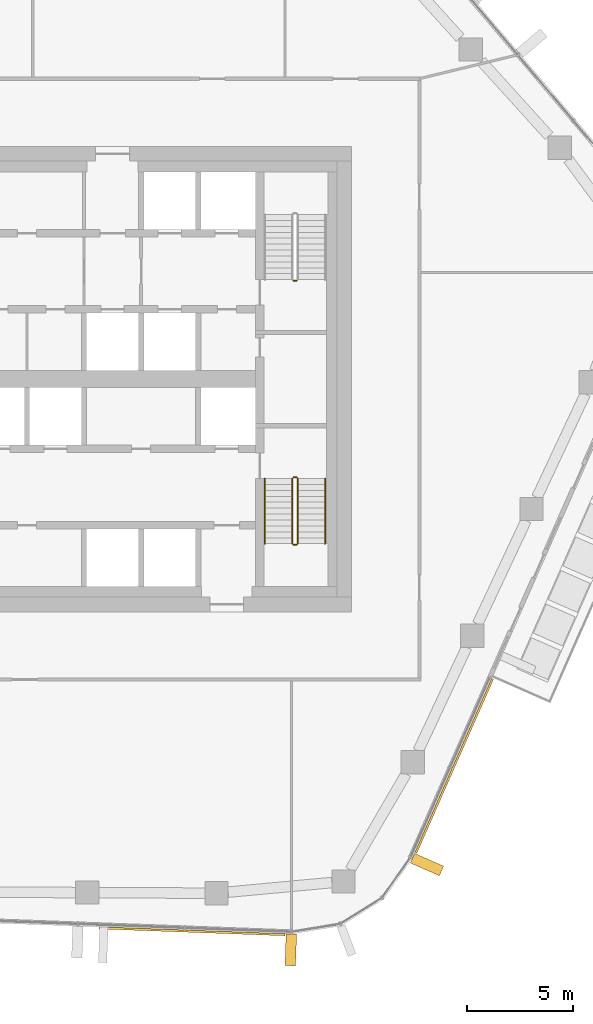
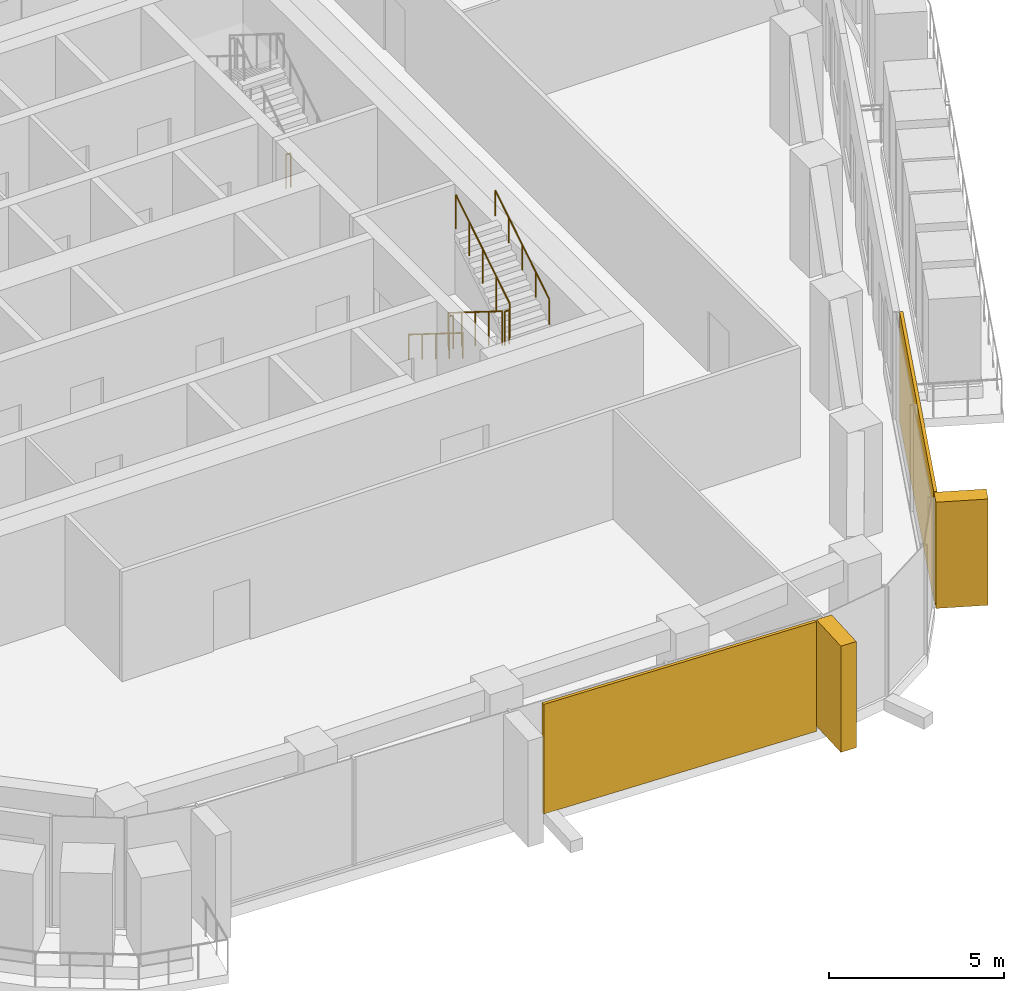
# One storey, part 17 of 21: 7 railings, 4 coverings, 2 elements without a shape of their own.
"""IFC4 building model written with IfcOpenShell, lengths in metres."""

from ifc_helpers import new_model, si_unit, direction, frame, origin, origin_2d, place, context, subcontext, project, spatial, rectangle, circle, extrude, material, layer, layer_set, material_profile, profile_set, type_object, element, aggregate, save


model = new_model("IFC4")

# Units and contexts
model_context = context("Model", 3, precision=1e-05, world=origin(), true_north=direction((0.0, 1.0)))
body_context = subcontext(model_context, "Body", "Model", "MODEL_VIEW")
ifc_project = project(units=[si_unit("LENGTHUNIT", "METRE"), si_unit("AREAUNIT", "SQUARE_METRE"), si_unit("VOLUMEUNIT", "CUBIC_METRE"), si_unit("PLANEANGLEUNIT", "RADIAN"), si_unit("MASSUNIT", "GRAM", prefix="KILO")], contexts=[model_context])

# Site, building, storey
site_placement = place(None, origin())
site = spatial("IfcSite", under=ifc_project, at=site_placement, CompositionType="ELEMENT")
building_placement = place(site_placement, origin())
building = spatial("IfcBuilding", under=site, at=building_placement, Name="Dongbaek Canopy Tower", CompositionType="ELEMENT")
storey_placement = place(building_placement, frame((0.0, 0.0, 270.60009765625)))
storey = spatial("IfcBuildingStorey", under=building, at=storey_placement, Name="L57", CompositionType="ELEMENT", Elevation=270.60009765625)

# Curtain wall, covering
ifc_material_1 = material(Name="Aluminium 6063-T6 pale anodised", Category="aluminium")
ifc_layer_1 = layer(ifc_material_1, 0.199951171875)
ifc_layer_set_1 = layer_set([ifc_layer_1], Name="CW-1 unitised tower curtain wall")
curtain_wall_type = type_object("IfcCurtainWallType", Name="CW-1 unitised tower curtain wall", PredefinedType="NOTDEFINED", material=ifc_layer_set_1)
curtain_wall_1_placement = place(storey_placement, origin())
curtain_wall_1 = element("IfcCurtainWall", 1, at=curtain_wall_1_placement, inside=storey, type_object=curtain_wall_type, Name="CW-1 curtain wall F4.1", PredefinedType="NOTDEFINED")
ifc_material_2 = material(Name="Perforated aluminium 6063-T6 pale metal screen", Category="aluminium")
ifc_layer_2 = layer(ifc_material_2, 0.10009765625)
ifc_layer_set_2 = layer_set([ifc_layer_2], Name="Facet screen FS1 100 pale metal")
covering_type_1 = type_object("IfcCoveringType", Name="Facet screen FS1 100 pale metal", PredefinedType="CLADDING", material=ifc_layer_set_2)
covering_1_placement = place(storey_placement, frame((6.458251953125, -26.102783203125, 0.0), z_axis=(0.0, 0.0, 1.0), x_axis=(0.999319925154, -0.036873936466, 0.0)))
covering_1 = element("IfcCovering", 2, at=covering_1_placement, type_object=covering_type_1, Name="Facet screen L57 F4", PredefinedType="CLADDING", context=body_context, shape_type="SweptSolid", body=[
    extrude(rectangle(XDim=8.80908203125, YDim=0.10009765625, at=origin_2d()), origin(), (0.0, 0.0, 1.0), 3.820068359375),
])

curtain_wall_2_placement = place(storey_placement, origin())
curtain_wall_2 = element("IfcCurtainWall", 3, at=curtain_wall_2_placement, inside=storey, type_object=curtain_wall_type, Name="CW-1 curtain wall F5.1", PredefinedType="NOTDEFINED")
covering_2_placement = place(storey_placement, frame((18.85009765625, -18.281982421875, 0.0), z_axis=(0.0, 0.0, 1.0), x_axis=(0.403288178578, 0.915073027151, 0.0)))
covering_2 = element("IfcCovering", 4, at=covering_2_placement, type_object=covering_type_1, Name="Facet screen L57 F5", PredefinedType="CLADDING", context=body_context, shape_type="SweptSolid", body=[
    extrude(rectangle(XDim=8.99609375, YDim=0.10009765625, at=origin_2d()), origin(), (0.0, 0.0, 1.0), 3.820068359375),
])

# Covering
ifc_material_3 = material(Name="Aluminium 6063-T6 pale metal fin", Category="aluminium")
ifc_material_profile = material_profile(ifc_material_3, rectangle(XDim=1.5, YDim=0.5, at=origin_2d()), Name="Fin FN1 500 x 1500 pale metal")
ifc_profile_set = profile_set([ifc_material_profile], Name="Aluminium 6063-T6 pale metal fin")
covering_type_2 = type_object("IfcCoveringType", Name="Fin FN1 500 x 1500 pale metal", PredefinedType="CLADDING", material=ifc_profile_set)
covering_3_placement = place(storey_placement, frame((11.123779296875, -26.9794921875, 0.119873046875), z_axis=(0.0, 0.0, 1.0), x_axis=(-0.036873891921, -0.999319926798, 0.0)))
covering_3 = element("IfcCovering", 5, at=covering_3_placement, type_object=covering_type_2, Name="Fin F4.1.5", PredefinedType="CLADDING", context=body_context, shape_type="SweptSolid", body=[
    extrude(rectangle(XDim=1.5, YDim=0.5, at=origin_2d()), origin(), (0.0, 0.0, 1.0), 3.699951171875),
])

aggregate(curtain_wall_1, [covering_3, covering_1])

covering_4_placement = place(storey_placement, frame((17.563232421875, -22.947509765625, 0.119873046875), z_axis=(0.0, 0.0, 1.0), x_axis=(0.915073119112, -0.403287969917, 0.0)))
covering_4 = element("IfcCovering", 6, at=covering_4_placement, type_object=covering_type_2, Name="Fin F5.1.1", PredefinedType="CLADDING", context=body_context, shape_type="SweptSolid", body=[
    extrude(rectangle(XDim=1.5, YDim=0.5, at=origin_2d()), origin(), (0.0, 0.0, 1.0), 3.699951171875),
])

aggregate(curtain_wall_2, [covering_4, covering_2])

# Railings
ifc_material_4 = material(Name="Stainless steel tube and balusters", Category="steel")
railing_type_1 = type_object("IfcRailingType", Name="Stair guard 1200", PredefinedType="GUARDRAIL", material=ifc_material_4)
railing_1_placement = place(storey_placement, frame((11.39990234375, 4.64990234375, 0.0)))
element("IfcRailing", 7, at=railing_1_placement, inside=storey, type_object=railing_type_1, Name="L57 ST-A stair guard 4", PredefinedType="GUARDRAIL", context=body_context, shape_type="SweptSolid", body=[
    extrude(circle(Radius=0.02392578125, at=origin_2d()), frame((0.0, 0.0, 1.17578125), z_axis=(-1.0, 0.0, 0.0), x_axis=(0.0, -1.0, 0.0)), (0.0, 0.0, 1.0), 0.14990234375),
    extrude(circle(Radius=0.02099609375, at=origin_2d()), origin(), (0.0, 0.0, 1.0), 1.15185546875),
    extrude(circle(Radius=0.02099609375, at=origin_2d()), frame((-0.14990234375, 0.0, 0.0)), (0.0, 0.0, 1.0), 1.15185546875),
])
railing_2_placement = place(storey_placement, frame((11.199951171875, -4.699951171875, 0.1748046875)))
element("IfcRailing", 8, at=railing_2_placement, inside=storey, type_object=railing_type_1, Name="L57 ST-B stair guard 1", PredefinedType="GUARDRAIL", context=body_context, shape_type="SweptSolid", body=[
    extrude(circle(Radius=0.02392578125, at=origin_2d()), frame((0.0, 0.0, 1.17578125), z_axis=(0.0, -0.847998304005, 0.529998940003), x_axis=(1.0, 0.0, 0.0)), (0.0, 0.0, 1.0), 3.632080078125),
    extrude(circle(Radius=0.02099609375, at=origin_2d()), origin(), (0.0, 0.0, 1.0), 1.15185546875),
    extrude(circle(Radius=0.02099609375, at=origin_2d()), frame((0.0, -0.77001953125, 0.481201171875)), (0.0, 0.0, 1.0), 1.15185546875),
    extrude(circle(Radius=0.02099609375, at=origin_2d()), frame((0.0, -1.5400390625, 0.96240234375)), (0.0, 0.0, 1.0), 1.15185546875),
    extrude(circle(Radius=0.02099609375, at=origin_2d()), frame((0.0, -2.31005859375, 1.44384765625)), (0.0, 0.0, 1.0), 1.15185546875),
    extrude(circle(Radius=0.02099609375, at=origin_2d()), frame((0.0, -3.080078125, 1.925048828125)), (0.0, 0.0, 1.0), 1.15185546875),
])
railing_3_placement = place(storey_placement, frame((11.25, -7.830078125, 2.099853515625)))
element("IfcRailing", 9, at=railing_3_placement, inside=storey, type_object=railing_type_1, Name="L57 ST-B stair guard 2", PredefinedType="GUARDRAIL", context=body_context, shape_type="SweptSolid", body=[
    extrude(circle(Radius=0.02392578125, at=origin_2d()), frame((0.0, 0.0, 1.17578125), z_axis=(1.0, 0.0, 0.0), x_axis=(0.0, 1.0, 0.0)), (0.0, 0.0, 1.0), 0.14990234375),
    extrude(circle(Radius=0.02099609375, at=origin_2d()), origin(), (0.0, 0.0, 1.0), 1.15185546875),
    extrude(circle(Radius=0.02099609375, at=origin_2d()), frame((0.14990234375, 0.0, 0.0)), (0.0, 0.0, 1.0), 1.15185546875),
])
railing_4_placement = place(storey_placement, frame((11.449951171875, -7.780029296875, 2.27490234375)))
element("IfcRailing", 10, at=railing_4_placement, inside=storey, type_object=railing_type_1, Name="L57 ST-B stair guard 3", PredefinedType="GUARDRAIL", context=body_context, shape_type="SweptSolid", body=[
    extrude(circle(Radius=0.02392578125, at=origin_2d()), frame((0.0, 0.0, 1.17578125), z_axis=(0.0, 0.847998304005, 0.529998940003), x_axis=(-1.0, 0.0, 0.0)), (0.0, 0.0, 1.0), 3.632080078125),
    extrude(circle(Radius=0.02099609375, at=origin_2d()), origin(), (0.0, 0.0, 1.0), 1.15185546875),
    extrude(circle(Radius=0.02099609375, at=origin_2d()), frame((0.0, 0.77001953125, 0.481201171875)), (0.0, 0.0, 1.0), 1.15185546875),
    extrude(circle(Radius=0.02099609375, at=origin_2d()), frame((0.0, 1.5400390625, 0.96240234375)), (0.0, 0.0, 1.0), 1.15185546875),
    extrude(circle(Radius=0.02099609375, at=origin_2d()), frame((0.0, 2.31005859375, 1.44384765625)), (0.0, 0.0, 1.0), 1.15185546875),
    extrude(circle(Radius=0.02099609375, at=origin_2d()), frame((0.0, 3.080078125, 1.925048828125)), (0.0, 0.0, 1.0), 1.15185546875),
])
railing_5_placement = place(storey_placement, frame((11.25, -4.64990234375, 0.0)))
element("IfcRailing", 11, at=railing_5_placement, inside=storey, type_object=railing_type_1, Name="L57 ST-B stair guard 4", PredefinedType="GUARDRAIL", context=body_context, shape_type="SweptSolid", body=[
    extrude(circle(Radius=0.02392578125, at=origin_2d()), frame((0.0, 0.0, 1.17578125), z_axis=(1.0, 0.0, 0.0), x_axis=(0.0, 1.0, 0.0)), (0.0, 0.0, 1.0), 0.14990234375),
    extrude(circle(Radius=0.02099609375, at=origin_2d()), origin(), (0.0, 0.0, 1.0), 1.15185546875),
    extrude(circle(Radius=0.02099609375, at=origin_2d()), frame((0.14990234375, 0.0, 0.0)), (0.0, 0.0, 1.0), 1.15185546875),
])
ifc_material_5 = material(Name="Stainless steel tube", Category="steel")
railing_type_2 = type_object("IfcRailingType", Name="Stair handrail 900", PredefinedType="HANDRAIL", material=ifc_material_5)
railing_6_placement = place(storey_placement, frame((9.89990234375, -4.699951171875, 0.1748046875)))
element("IfcRailing", 12, at=railing_6_placement, inside=storey, type_object=railing_type_2, Name="L57 ST-B stair handrail 1", PredefinedType="HANDRAIL", context=body_context, shape_type="SweptSolid", body=[
    extrude(circle(Radius=0.02392578125, at=origin_2d()), frame((0.0, 0.0, 0.8759765625), z_axis=(0.0, -0.847998304005, 0.529998940003), x_axis=(1.0, 0.0, 0.0)), (0.0, 0.0, 1.0), 3.632080078125),
    extrude(circle(Radius=0.02099609375, at=origin_2d()), origin(), (0.0, 0.0, 1.0), 0.851806640625),
    extrude(circle(Radius=0.02099609375, at=origin_2d()), frame((0.0, -0.77001953125, 0.481201171875)), (0.0, 0.0, 1.0), 0.851806640625),
    extrude(circle(Radius=0.02099609375, at=origin_2d()), frame((0.0, -1.5400390625, 0.96240234375)), (0.0, 0.0, 1.0), 0.851806640625),
    extrude(circle(Radius=0.02099609375, at=origin_2d()), frame((0.0, -2.31005859375, 1.44384765625)), (0.0, 0.0, 1.0), 0.851806640625),
    extrude(circle(Radius=0.02099609375, at=origin_2d()), frame((0.0, -3.080078125, 1.925048828125)), (0.0, 0.0, 1.0), 0.851806640625),
])
railing_7_placement = place(storey_placement, frame((12.75, -7.780029296875, 2.27490234375)))
element("IfcRailing", 13, at=railing_7_placement, inside=storey, type_object=railing_type_2, Name="L57 ST-B stair handrail 2", PredefinedType="HANDRAIL", context=body_context, shape_type="SweptSolid", body=[
    extrude(circle(Radius=0.02392578125, at=origin_2d()), frame((0.0, 0.0, 0.8759765625), z_axis=(0.0, 0.847998304005, 0.529998940003), x_axis=(-1.0, 0.0, 0.0)), (0.0, 0.0, 1.0), 3.632080078125),
    extrude(circle(Radius=0.02099609375, at=origin_2d()), origin(), (0.0, 0.0, 1.0), 0.851806640625),
    extrude(circle(Radius=0.02099609375, at=origin_2d()), frame((0.0, 0.77001953125, 0.481201171875)), (0.0, 0.0, 1.0), 0.851806640625),
    extrude(circle(Radius=0.02099609375, at=origin_2d()), frame((0.0, 1.5400390625, 0.96240234375)), (0.0, 0.0, 1.0), 0.851806640625),
    extrude(circle(Radius=0.02099609375, at=origin_2d()), frame((0.0, 2.31005859375, 1.44384765625)), (0.0, 0.0, 1.0), 0.851806640625),
    extrude(circle(Radius=0.02099609375, at=origin_2d()), frame((0.0, 3.080078125, 1.925048828125)), (0.0, 0.0, 1.0), 0.851806640625),
])

save(model, "model.ifc")
